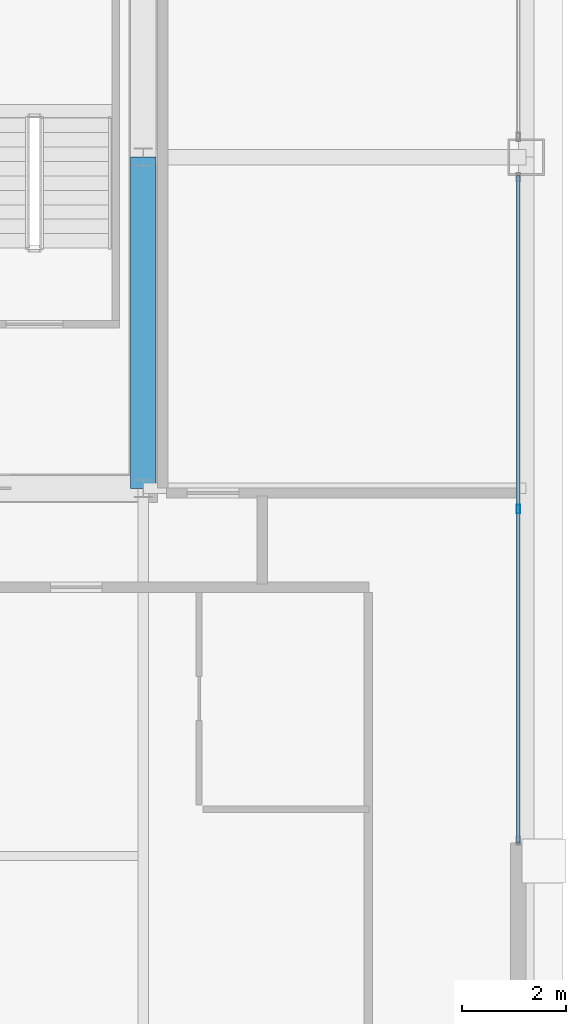
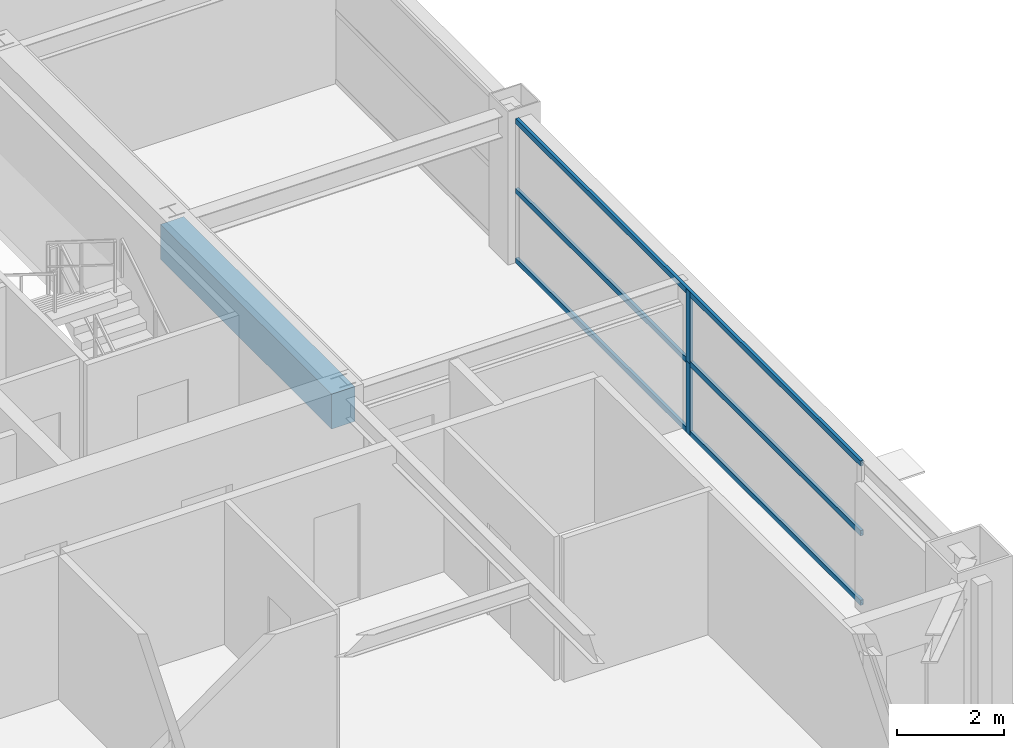
# One storey, part 20 of 37: 5 members, 1 beam, 1 element without a shape of its own.
"""IFC4 building model written with IfcOpenShell, lengths in metres."""

from ifc_helpers import new_model, si_unit, direction, frame, origin, origin_2d, place, context, subcontext, project, spatial, rectangle, hollow_rectangle, extrude, source, transform, mapped, material, layer, layer_set, material_profile, profile_set, type_object, element, aggregate, save


model = new_model("IFC4")

# Units and contexts
model_context = context("Model", 3, precision=1e-05, world=origin(), true_north=direction((0.0, 1.0)))
body_context = subcontext(model_context, "Body", "Model", "MODEL_VIEW")
ifc_project = project(units=[si_unit("LENGTHUNIT", "METRE"), si_unit("AREAUNIT", "SQUARE_METRE"), si_unit("VOLUMEUNIT", "CUBIC_METRE"), si_unit("PLANEANGLEUNIT", "RADIAN"), si_unit("MASSUNIT", "GRAM", prefix="KILO"), si_unit("THERMODYNAMICTEMPERATUREUNIT", "KELVIN"), si_unit("POWERUNIT", "WATT")], contexts=[model_context])

# Site, building, storey
site_placement = place(None, origin())
site = spatial("IfcSite", under=ifc_project, at=site_placement, CompositionType="ELEMENT")
building_placement = place(site_placement, origin())
building = spatial("IfcBuilding", under=site, at=building_placement, Name="Yuzanri Waterfront Tower", CompositionType="ELEMENT")
storey_placement = place(building_placement, frame((0.0, 0.0, 268.10009765625)))
storey = spatial("IfcBuildingStorey", under=building, at=storey_placement, Name="L71", CompositionType="ELEMENT", Elevation=268.10009765625)

# Beam
ifc_material_1 = material(Name="Concrete C50", Category="concrete")
ifc_material_profile_1 = material_profile(ifc_material_1, rectangle(XDim=0.5, YDim=0.800048828125, at=origin_2d()), Name="RC 500x800")
ifc_profile_set_1 = profile_set([ifc_material_profile_1], Name="Concrete C50")
beam_type = type_object("IfcBeamType", Name="Core Coupling Lintel Concrete C50 500x800", PredefinedType="LINTEL", material=ifc_profile_set_1)
shared_shape_1 = source(origin(), body_context, "Body", "SweptSolid", [
    extrude(rectangle(XDim=0.5, YDim=0.800048828125, at=origin_2d()), origin(), (0.0, 0.0, 1.0), 6.400146484375),
])
beam_placement = place(storey_placement, frame((50.199951171875, 19.39990234375, 2.8798828125), z_axis=(0.0, 1.0, 0.0), x_axis=(-1.0, 0.0, 0.0)))
element("IfcBeam", 1, at=beam_placement, inside=storey, type_object=beam_type, Name="L71 Core Tie Beam CE1", PredefinedType="LINTEL", context=body_context, shape_type="MappedRepresentation", body=[
    mapped(shared_shape_1, transform((0.0, 0.0, 0.0), scale=1.0)),
])

# Curtain wall, members
ifc_material_2 = material(Name="Anodized Architectural Bronze", Category="metal")
ifc_layer = layer(ifc_material_2, 0.159912109375)
ifc_layer_set = layer_set([ifc_layer], Name="Anodized Architectural Bronze")
curtain_wall_type = type_object("IfcCurtainWallType", Name="Anodized Bronze Mid-Rise Residential Acoustic Unitized Curtain Wall 7200", PredefinedType="NOTDEFINED", material=ifc_layer_set)
curtain_wall_placement = place(storey_placement, origin())
curtain_wall = element("IfcCurtainWall", 2, at=curtain_wall_placement, inside=storey, type_object=curtain_wall_type, Name="L71 Curtain Wall CW-L71-EL", PredefinedType="NOTDEFINED")
ifc_material_3 = material(Name="Anodized Architectural Bronze", Category="metal")
ifc_material_profile_2 = material_profile(ifc_material_3, hollow_rectangle(XDim=0.06494140625, YDim=0.159912109375, WallThickness=0.00341796875, at=origin_2d()), Name="CWM 65x160")
ifc_profile_set_2 = profile_set([ifc_material_profile_2], Name="Anodized Architectural Bronze")
member_type_1 = type_object("IfcMemberType", Name="Anodized Bronze Upper-Zone Curtain-Wall Mullion 65x160", PredefinedType="MULLION", material=ifc_profile_set_2)
shared_shape_2 = source(origin(), body_context, "Body", "SweptSolid", [
    extrude(hollow_rectangle(XDim=0.06494140625, YDim=0.159912109375, WallThickness=0.00341796875, at=origin_2d()), origin(), (0.0, 0.0, 1.0), 1.637939453125),
])
member_1_placement = place(storey_placement, frame((57.449951171875, 19.0, 0.0), z_axis=(0.0, 0.0, 1.0), x_axis=(1.0, 0.0, 0.0)))
member_1 = element("IfcMember", 3, at=member_1_placement, type_object=member_type_1, Name="CW-L71-EL Lower Mullion 01", PredefinedType="MULLION", context=body_context, shape_type="MappedRepresentation", body=[
    mapped(shared_shape_2, transform((0.0, 0.0, 0.0), scale=1.0)),
])
member_2_placement = place(storey_placement, frame((57.449951171875, 19.0, 1.641845703125), z_axis=(0.0, 0.0, 1.0), x_axis=(1.0, 0.0, 0.0)))
member_2 = element("IfcMember", 4, at=member_2_placement, type_object=member_type_1, Name="CW-L71-EL Upper Mullion 01", PredefinedType="MULLION", context=body_context, shape_type="MappedRepresentation", body=[
    mapped(shared_shape_2, transform((0.0, 0.0, 0.0), scale=1.0)),
])
ifc_material_4 = material(Name="Anodized Architectural Bronze", Category="metal")
ifc_material_profile_3 = material_profile(ifc_material_4, hollow_rectangle(XDim=0.06494140625, YDim=0.1201171875, WallThickness=0.00341796875, at=origin_2d()), Name="CWT 65x120")
ifc_profile_set_3 = profile_set([ifc_material_profile_3], Name="Anodized Architectural Bronze")
member_type_2 = type_object("IfcMemberType", Name="Anodized Bronze Secondary Curtain-Wall Transom 65x120", PredefinedType="USERDEFINED", material=ifc_profile_set_3)
shared_shape_3 = source(origin(), body_context, "Body", "SweptSolid", [
    extrude(hollow_rectangle(XDim=0.06494140625, YDim=0.1201171875, WallThickness=0.00341796875, at=origin_2d()), origin(), (0.0, 0.0, 1.0), 12.89990234375),
])
member_3_placement = place(storey_placement, frame((57.449951171875, 12.550048828125, 0.0498046875), z_axis=(0.0, 1.0, 0.0), x_axis=(-1.0, 0.0, 0.0)))
member_3 = element("IfcMember", 5, at=member_3_placement, type_object=member_type_2, Name="CW-L71-EL Transom 1", ObjectType="TRANSOM", PredefinedType="USERDEFINED", context=body_context, shape_type="MappedRepresentation", body=[
    mapped(shared_shape_3, transform((0.0, 0.0, 0.0), scale=1.0)),
])
member_4_placement = place(storey_placement, frame((57.449951171875, 12.550048828125, 1.639892578125), z_axis=(0.0, 1.0, 0.0), x_axis=(-1.0, 0.0, 0.0)))
member_4 = element("IfcMember", 6, at=member_4_placement, type_object=member_type_2, Name="CW-L71-EL Transom 2", ObjectType="TRANSOM", PredefinedType="USERDEFINED", context=body_context, shape_type="MappedRepresentation", body=[
    mapped(shared_shape_3, transform((0.0, 0.0, 0.0), scale=1.0)),
])
member_5_placement = place(storey_placement, frame((57.449951171875, 12.550048828125, 3.22998046875), z_axis=(0.0, 1.0, 0.0), x_axis=(-1.0, 0.0, 0.0)))
member_5 = element("IfcMember", 7, at=member_5_placement, type_object=member_type_2, Name="CW-L71-EL Transom 3", ObjectType="TRANSOM", PredefinedType="USERDEFINED", context=body_context, shape_type="MappedRepresentation", body=[
    mapped(shared_shape_3, transform((0.0, 0.0, 0.0), scale=1.0)),
])
aggregate(curtain_wall, [member_1, member_2, member_3, member_4, member_5])

save(model, "model.ifc")
